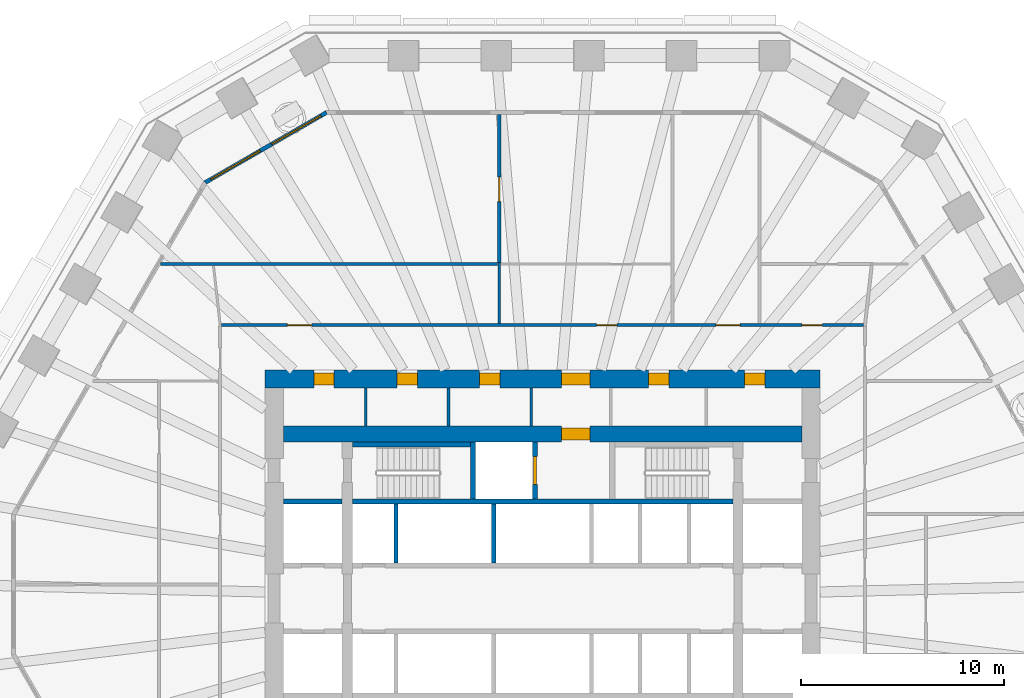
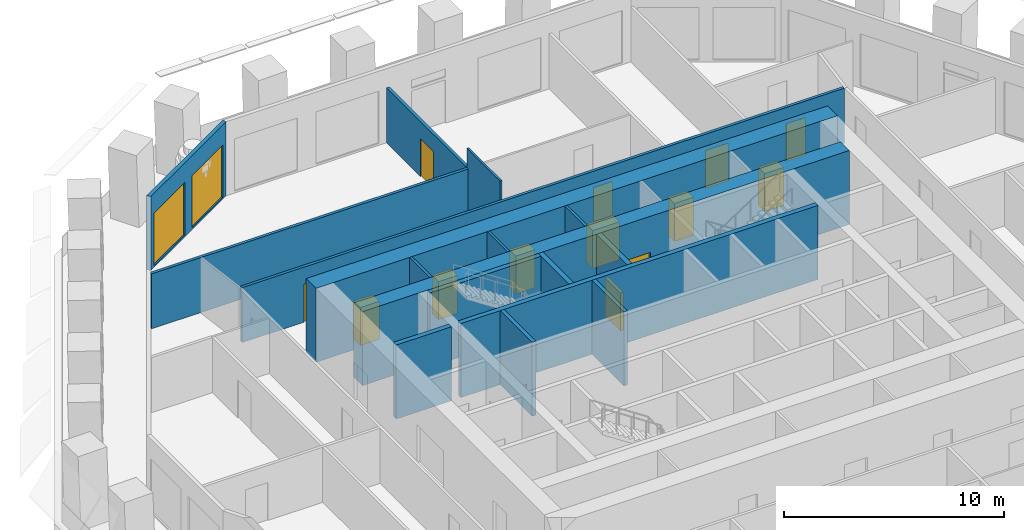
# One storey, part 7 of 13: 17 walls, 13 doors, 2 windows, 15 openings.
"""IFC4 building model written with IfcOpenShell, lengths in metres."""

from ifc_helpers import new_model, si_unit, direction, frame, frame_2d, origin, place, context, subcontext, project, spatial, polyline, rectangle, outline, extrude, material, layer, layer_set, type_object, element, fill, save


model = new_model("IFC4")

# Units and contexts
model_context = context("Model", 3, precision=1e-05, world=origin(), true_north=direction((0.0, 1.0)))
body_context = subcontext(model_context, "Body", "Model", "MODEL_VIEW")
ifc_project = project(units=[si_unit("LENGTHUNIT", "METRE"), si_unit("AREAUNIT", "SQUARE_METRE"), si_unit("VOLUMEUNIT", "CUBIC_METRE"), si_unit("PLANEANGLEUNIT", "RADIAN"), si_unit("MASSUNIT", "GRAM", prefix="KILO")], contexts=[model_context])

# Site, building, storey
site_placement = place(None, origin())
site = spatial("IfcSite", under=ifc_project, at=site_placement, CompositionType="ELEMENT")
building_placement = place(site_placement, origin())
building = spatial("IfcBuilding", under=site, at=building_placement, Name="Frailejon Research Tower", CompositionType="ELEMENT")
storey_placement = place(building_placement, frame((0.0, 0.0, 36.60009765625)))
storey = spatial("IfcBuildingStorey", under=building, at=storey_placement, Name="L08", CompositionType="ELEMENT", Elevation=36.60009765625)

# Walls
ifc_material_1 = material(Name="Plasterboard on steel studs", Category="steel")
ifc_layer_1 = layer(ifc_material_1, 0.125)
ifc_layer_set_1 = layer_set([ifc_layer_1], Name="Core partition 125")
wall_type_1 = type_object("IfcWallType", Name="Core partition 125", PredefinedType="PARTITIONING", material=ifc_layer_set_1)
for number, where, z_axis, x_axis, name in (
    (1, (-8.6875, 8.5, 0.0), (0.0, 0.0, 1.0), (0.0, 1.0, 0.0), "Core partition"),
    (2, (-4.625, 8.5, 0.0), (0.0, 0.0, 1.0), (0.0, 1.0, 0.0), "Core partition"),
    (3, (-0.5625, 8.5, 0.0), (0.0, 0.0, 1.0), (0.0, 1.0, 0.0), "Core partition"),
):
    element("IfcWall", number, at=place(storey_placement, frame(where, z_axis=z_axis, x_axis=x_axis)), inside=storey, type_object=wall_type_1, Name=name, PredefinedType="PARTITIONING", context=body_context, shape_type="SweptSolid", body=[
        extrude(rectangle(XDim=1.85009765625, YDim=0.125, at=frame_2d((0.925048828125, 0.0))), origin(), (0.0, 0.0, 1.0), 4.099853515625),
    ])

# Wall, opening, door
ifc_material_2 = material(Name="Concrete C70/85", Category="concrete")
ifc_layer_2 = layer(ifc_material_2, 0.800048828125)
ifc_layer_set_2 = layer_set([ifc_layer_2], Name="Core shear wall 800 C70/85")
wall_type_2 = type_object("IfcWallType", Name="Core shear wall 800 C70/85", PredefinedType="SHEAR", material=ifc_layer_set_2)
wall_1_placement = place(storey_placement, frame((-12.75, 8.10009765625, 0.0), z_axis=(0.0, 0.0, 1.0), x_axis=(1.0, 0.0, 0.0)))
wall_1 = element("IfcWall", 4, at=wall_1_placement, inside=storey, type_object=wall_type_2, Name="Core shear wall", PredefinedType="SHEAR", context=body_context, shape_type="SweptSolid", body=[
    extrude(rectangle(XDim=25.5, YDim=0.800048828125, at=frame_2d((12.75, 0.0))), origin(), (0.0, 0.0, 1.0), 4.099853515625),
])
opening_1_placement = place(wall_1_placement, frame((13.675048828125, 0.0, 0.0)))
opening_1 = element("IfcOpeningElement", 5, at=opening_1_placement, cuts=wall_1, Name="Opening D9", PredefinedType="OPENING", context=body_context, shape_type="SweptSolid", body=[
    extrude(rectangle(XDim=1.39990234375, YDim=2.10009765625, at=frame_2d((0.699951171875, 1.050048828125))), frame((0.0, 0.409912109375, 0.0), z_axis=(0.0, -1.0, 0.0), x_axis=(1.0, 0.0, 0.0)), (0.0, 0.0, 1.0), 0.820068359375),
])
ifc_material_3 = material(Name="Steel", Category="steel")
door_type_1 = type_object("IfcDoorType", Name="Goods lobby door", OperationType="DOUBLE_DOOR_SINGLE_SWING", PredefinedType="DOOR", material=ifc_material_3)
door_1_placement = place(opening_1_placement, origin())
door_1 = element("IfcDoor", 6, at=door_1_placement, inside=storey, type_object=door_type_1, Name="Goods lobby door", OperationType="DOUBLE_DOOR_SINGLE_SWING", OverallHeight=2.10009765625, OverallWidth=1.39990234375, PredefinedType="DOOR", context=body_context, shape_type="SweptSolid", body=[
    extrude(rectangle(XDim=1.39990234375, YDim=2.10009765625, at=frame_2d((0.699951171875, 1.050048828125))), frame((0.0, 0.300048828125, 0.0), z_axis=(0.0, -1.0, 0.0), x_axis=(1.0, 0.0, 0.0)), (0.0, 0.0, 1.0), 0.60009765625),
])
fill(opening_1, door_1)

# Wall, openings, doors
ifc_material_4 = material(Name="Concrete C70/85", Category="concrete")
ifc_layer_3 = layer(ifc_material_4, 0.89990234375)
ifc_layer_set_3 = layer_set([ifc_layer_3], Name="Core shear wall 900 C70/85")
wall_type_3 = type_object("IfcWallType", Name="Core shear wall 900 C70/85", PredefinedType="SHEAR", material=ifc_layer_set_3)
wall_2_placement = place(storey_placement, frame((-13.64990234375, 10.800048828125, 0.0), z_axis=(0.0, 0.0, 1.0), x_axis=(1.0, 0.0, 0.0)))
wall_2 = element("IfcWall", 7, at=wall_2_placement, inside=storey, type_object=wall_type_3, Name="Core shear wall", PredefinedType="SHEAR", context=body_context, shape_type="SweptSolid", body=[
    extrude(rectangle(XDim=27.2998046875, YDim=0.89990234375, at=frame_2d((13.64990234375, 0.0))), origin(), (0.0, 0.0, 1.0), 4.099853515625),
])
opening_2_placement = place(wall_2_placement, frame((2.39990234375, 0.0, 0.0)))
opening_2 = element("IfcOpeningElement", 8, at=opening_2_placement, cuts=wall_2, Name="Opening D4", PredefinedType="OPENING", context=body_context, shape_type="SweptSolid", body=[
    extrude(rectangle(XDim=1.0, YDim=2.10009765625, at=frame_2d((0.5, 1.050048828125))), frame((0.0, 0.4599609375, 0.0), z_axis=(0.0, -1.0, 0.0), x_axis=(1.0, 0.0, 0.0)), (0.0, 0.0, 1.0), 0.919921875),
])
opening_3_placement = place(wall_2_placement, frame((6.49365234375, 0.0, 0.0)))
opening_3 = element("IfcOpeningElement", 9, at=opening_3_placement, cuts=wall_2, Name="Opening D4", PredefinedType="OPENING", context=body_context, shape_type="SweptSolid", body=[
    extrude(rectangle(XDim=1.0, YDim=2.10009765625, at=frame_2d((0.5, 1.050048828125))), frame((0.0, 0.4599609375, 0.0), z_axis=(0.0, -1.0, 0.0), x_axis=(1.0, 0.0, 0.0)), (0.0, 0.0, 1.0), 0.919921875),
])
opening_4_placement = place(wall_2_placement, frame((10.55615234375, 0.0, 0.0)))
opening_4 = element("IfcOpeningElement", 10, at=opening_4_placement, cuts=wall_2, Name="Opening D4", PredefinedType="OPENING", context=body_context, shape_type="SweptSolid", body=[
    extrude(rectangle(XDim=1.0, YDim=2.10009765625, at=frame_2d((0.5, 1.050048828125))), frame((0.0, 0.4599609375, 0.0), z_axis=(0.0, -1.0, 0.0), x_axis=(1.0, 0.0, 0.0)), (0.0, 0.0, 1.0), 0.919921875),
])
opening_5_placement = place(wall_2_placement, frame((18.859375, 0.0, 0.0)))
opening_5 = element("IfcOpeningElement", 11, at=opening_5_placement, cuts=wall_2, Name="Opening D4", PredefinedType="OPENING", context=body_context, shape_type="SweptSolid", body=[
    extrude(rectangle(XDim=1.0, YDim=2.10009765625, at=frame_2d((0.5, 1.050048828125))), frame((0.0, 0.4599609375, 0.0), z_axis=(0.0, -1.0, 0.0), x_axis=(1.0, 0.0, 0.0)), (0.0, 0.0, 1.0), 0.919921875),
])
opening_6_placement = place(wall_2_placement, frame((23.58447265625, 0.0, 0.0)))
opening_6 = element("IfcOpeningElement", 12, at=opening_6_placement, cuts=wall_2, Name="Opening D4", PredefinedType="OPENING", context=body_context, shape_type="SweptSolid", body=[
    extrude(rectangle(XDim=1.0, YDim=2.10009765625, at=frame_2d((0.5, 1.050048828125))), frame((0.0, 0.4599609375, 0.0), z_axis=(0.0, -1.0, 0.0), x_axis=(1.0, 0.0, 0.0)), (0.0, 0.0, 1.0), 0.919921875),
])
opening_7_placement = place(wall_2_placement, frame((14.574951171875, 0.0, 0.0)))
opening_7 = element("IfcOpeningElement", 13, at=opening_7_placement, cuts=wall_2, Name="Opening D9", PredefinedType="OPENING", context=body_context, shape_type="SweptSolid", body=[
    extrude(rectangle(XDim=1.39990234375, YDim=2.10009765625, at=frame_2d((0.699951171875, 1.050048828125))), frame((0.0, 0.4599609375, 0.0), z_axis=(0.0, -1.0, 0.0), x_axis=(1.0, 0.0, 0.0)), (0.0, 0.0, 1.0), 0.919921875),
])
door_2_placement = place(opening_7_placement, origin())
door_2 = element("IfcDoor", 14, at=door_2_placement, inside=storey, type_object=door_type_1, Name="Passage door", OperationType="DOUBLE_DOOR_SINGLE_SWING", OverallHeight=2.10009765625, OverallWidth=1.39990234375, PredefinedType="DOOR", context=body_context, shape_type="SweptSolid", body=[
    extrude(rectangle(XDim=1.39990234375, YDim=2.10009765625, at=frame_2d((0.699951171875, 1.050048828125))), frame((0.0, 0.300048828125, 0.0), z_axis=(0.0, -1.0, 0.0), x_axis=(1.0, 0.0, 0.0)), (0.0, 0.0, 1.0), 0.60009765625),
])
fill(opening_7, door_2)
ifc_material_5 = material(Name="Steel", Category="steel")
door_type_2 = type_object("IfcDoorType", Name="Service door", OperationType="SINGLE_SWING_LEFT", PredefinedType="DOOR", material=ifc_material_5)
door_3_placement = place(opening_2_placement, origin())
door_3 = element("IfcDoor", 15, at=door_3_placement, inside=storey, type_object=door_type_2, Name="Room door", OperationType="SINGLE_SWING_LEFT", OverallHeight=2.10009765625, OverallWidth=1.0, PredefinedType="DOOR", context=body_context, shape_type="SweptSolid", body=[
    extrude(rectangle(XDim=1.0, YDim=2.10009765625, at=frame_2d((0.5, 1.050048828125))), frame((0.0, 0.300048828125, 0.0), z_axis=(0.0, -1.0, 0.0), x_axis=(1.0, 0.0, 0.0)), (0.0, 0.0, 1.0), 0.60009765625),
])
fill(opening_2, door_3)
door_4_placement = place(opening_3_placement, origin())
door_4 = element("IfcDoor", 16, at=door_4_placement, inside=storey, type_object=door_type_2, Name="Room door", OperationType="SINGLE_SWING_RIGHT", OverallHeight=2.10009765625, OverallWidth=1.0, PredefinedType="DOOR", context=body_context, shape_type="SweptSolid", body=[
    extrude(rectangle(XDim=1.0, YDim=2.10009765625, at=frame_2d((0.5, 1.050048828125))), frame((0.0, 0.300048828125, 0.0), z_axis=(0.0, -1.0, 0.0), x_axis=(1.0, 0.0, 0.0)), (0.0, 0.0, 1.0), 0.60009765625),
])
fill(opening_3, door_4)
door_5_placement = place(opening_4_placement, origin())
door_5 = element("IfcDoor", 17, at=door_5_placement, inside=storey, type_object=door_type_2, Name="Room door", OperationType="SINGLE_SWING_LEFT", OverallHeight=2.10009765625, OverallWidth=1.0, PredefinedType="DOOR", context=body_context, shape_type="SweptSolid", body=[
    extrude(rectangle(XDim=1.0, YDim=2.10009765625, at=frame_2d((0.5, 1.050048828125))), frame((0.0, 0.300048828125, 0.0), z_axis=(0.0, -1.0, 0.0), x_axis=(1.0, 0.0, 0.0)), (0.0, 0.0, 1.0), 0.60009765625),
])
fill(opening_4, door_5)
door_6_placement = place(opening_5_placement, origin())
door_6 = element("IfcDoor", 18, at=door_6_placement, inside=storey, type_object=door_type_2, Name="Room door", OperationType="SINGLE_SWING_RIGHT", OverallHeight=2.10009765625, OverallWidth=1.0, PredefinedType="DOOR", context=body_context, shape_type="SweptSolid", body=[
    extrude(rectangle(XDim=1.0, YDim=2.10009765625, at=frame_2d((0.5, 1.050048828125))), frame((0.0, 0.300048828125, 0.0), z_axis=(0.0, -1.0, 0.0), x_axis=(1.0, 0.0, 0.0)), (0.0, 0.0, 1.0), 0.60009765625),
])
fill(opening_5, door_6)
door_7_placement = place(opening_6_placement, origin())
door_7 = element("IfcDoor", 19, at=door_7_placement, inside=storey, type_object=door_type_2, Name="Room door", OperationType="SINGLE_SWING_LEFT", OverallHeight=2.10009765625, OverallWidth=1.0, PredefinedType="DOOR", context=body_context, shape_type="SweptSolid", body=[
    extrude(rectangle(XDim=1.0, YDim=2.10009765625, at=frame_2d((0.5, 1.050048828125))), frame((0.0, 0.300048828125, 0.0), z_axis=(0.0, -1.0, 0.0), x_axis=(1.0, 0.0, 0.0)), (0.0, 0.0, 1.0), 0.60009765625),
])
fill(opening_6, door_7)

ifc_material_6 = material(Name="Gypsum board and masonry partition", Category="masonry")
ifc_layer_4 = layer(ifc_material_6, 0.14990234375)
ifc_layer_set_4 = layer_set([ifc_layer_4], Name="Corridor wall EI 60, gypsum on steel studs 150")
wall_type_4 = type_object("IfcWallType", Name="Corridor wall EI 60, gypsum on steel studs 150", PredefinedType="PARTITIONING", material=ifc_layer_set_4)
wall_3_placement = place(storey_placement, frame((-15.77490234375, 13.449951171875, 0.0), z_axis=(0.0, 0.0, 1.0), x_axis=(1.0, 0.0, 0.0)))
wall_3 = element("IfcWall", 20, at=wall_3_placement, inside=storey, type_object=wall_type_4, Name="T:IW:L08:002", PredefinedType="PARTITIONING", context=body_context, shape_type="SweptSolid", body=[
    extrude(rectangle(XDim=31.5498046875, YDim=0.14990234375, at=frame_2d((15.77490234375, 0.0))), origin(), (0.0, 0.0, 1.0), 3.0498046875),
])
opening_8_placement = place(wall_3_placement, frame((28.52734375, 0.0, 0.0)))
opening_8 = element("IfcOpeningElement", 21, at=opening_8_placement, cuts=wall_3, Name="Opening D1349", PredefinedType="OPENING", context=body_context, shape_type="SweptSolid", body=[
    extrude(rectangle(XDim=1.0, YDim=2.10009765625, at=frame_2d((0.5, 1.050048828125))), frame((0.0, 0.0849609375, 0.0), z_axis=(0.0, -1.0, 0.0), x_axis=(1.0, 0.0, 0.0)), (0.0, 0.0, 1.0), 0.169921875),
])
opening_9_placement = place(wall_3_placement, frame((24.289306640625, 0.0, 0.0)))
opening_9 = element("IfcOpeningElement", 22, at=opening_9_placement, cuts=wall_3, Name="Opening D1351", PredefinedType="OPENING", context=body_context, shape_type="SweptSolid", body=[
    extrude(rectangle(XDim=1.199951171875, YDim=2.10009765625, at=frame_2d((0.60009765625, 1.050048828125))), frame((0.0, 0.0849609375, 0.0), z_axis=(0.0, -1.0, 0.0), x_axis=(1.0, 0.0, 0.0)), (0.0, 0.0, 1.0), 0.169921875),
])
opening_10_placement = place(wall_3_placement, frame((18.429443359375, 0.0, 0.0)))
opening_10 = element("IfcOpeningElement", 23, at=opening_10_placement, cuts=wall_3, Name="Opening D1352", PredefinedType="OPENING", context=body_context, shape_type="SweptSolid", body=[
    extrude(rectangle(XDim=1.0, YDim=2.10009765625, at=frame_2d((0.5, 1.050048828125))), frame((0.0, 0.0849609375, 0.0), z_axis=(0.0, -1.0, 0.0), x_axis=(1.0, 0.0, 0.0)), (0.0, 0.0, 1.0), 0.169921875),
])
opening_11_placement = place(wall_3_placement, frame((3.229736328125, 0.0, 0.0)))
opening_11 = element("IfcOpeningElement", 24, at=opening_11_placement, cuts=wall_3, Name="Opening D1355", PredefinedType="OPENING", context=body_context, shape_type="SweptSolid", body=[
    extrude(rectangle(XDim=1.199951171875, YDim=2.10009765625, at=frame_2d((0.60009765625, 1.050048828125))), frame((0.0, 0.0849609375, 0.0), z_axis=(0.0, -1.0, 0.0), x_axis=(1.0, 0.0, 0.0)), (0.0, 0.0, 1.0), 0.169921875),
])
ifc_material_7 = material(Name="Timber door leaf", Category="wood")
door_type_3 = type_object("IfcDoorType", Name="Door laboratory, timber, vision panel 1000", OperationType="NOTDEFINED", PredefinedType="DOOR", material=ifc_material_7)
door_8_placement = place(opening_8_placement, origin())
door_8 = element("IfcDoor", 25, at=door_8_placement, inside=storey, type_object=door_type_3, Name="D1349", OperationType="SINGLE_SWING_RIGHT", OverallHeight=2.10009765625, OverallWidth=1.0, PredefinedType="DOOR", context=body_context, shape_type="SweptSolid", body=[
    extrude(rectangle(XDim=1.0, YDim=2.10009765625, at=frame_2d((0.5, 1.050048828125))), frame((0.0, 0.02490234375, 0.0), z_axis=(0.0, -1.0, 0.0), x_axis=(1.0, 0.0, 0.0)), (0.0, 0.0, 1.0), 0.050048828125),
])
fill(opening_8, door_8)
ifc_material_8 = material(Name="Timber door leaf", Category="wood")
door_type_4 = type_object("IfcDoorType", Name="Door laboratory, timber, vision panel 1200", OperationType="NOTDEFINED", PredefinedType="DOOR", material=ifc_material_8)
door_9_placement = place(opening_9_placement, origin())
door_9 = element("IfcDoor", 26, at=door_9_placement, inside=storey, type_object=door_type_4, Name="D1351", OperationType="DOUBLE_DOOR_SINGLE_SWING", OverallHeight=2.10009765625, OverallWidth=1.199951171875, PredefinedType="DOOR", context=body_context, shape_type="SweptSolid", body=[
    extrude(rectangle(XDim=1.199951171875, YDim=2.10009765625, at=frame_2d((0.60009765625, 1.050048828125))), frame((0.0, 0.02490234375, 0.0), z_axis=(0.0, -1.0, 0.0), x_axis=(1.0, 0.0, 0.0)), (0.0, 0.0, 1.0), 0.050048828125),
])
fill(opening_9, door_9)
ifc_material_9 = material(Name="Timber door leaf", Category="wood")
door_type_5 = type_object("IfcDoorType", Name="Door single leaf, timber, steel frame 1000", OperationType="NOTDEFINED", PredefinedType="DOOR", material=ifc_material_9)
door_10_placement = place(opening_10_placement, origin())
door_10 = element("IfcDoor", 27, at=door_10_placement, inside=storey, type_object=door_type_5, Name="D1352", OperationType="SINGLE_SWING_RIGHT", OverallHeight=2.10009765625, OverallWidth=1.0, PredefinedType="DOOR", context=body_context, shape_type="SweptSolid", body=[
    extrude(rectangle(XDim=1.0, YDim=2.10009765625, at=frame_2d((0.5, 1.050048828125))), frame((0.0, 0.02490234375, 0.0), z_axis=(0.0, -1.0, 0.0), x_axis=(1.0, 0.0, 0.0)), (0.0, 0.0, 1.0), 0.050048828125),
])
fill(opening_10, door_10)
ifc_material_10 = material(Name="Timber door leaf", Category="wood")
door_type_6 = type_object("IfcDoorType", Name="Door single leaf, timber, steel frame 1200", OperationType="NOTDEFINED", PredefinedType="DOOR", material=ifc_material_10)
door_11_placement = place(opening_11_placement, origin())
door_11 = element("IfcDoor", 28, at=door_11_placement, inside=storey, type_object=door_type_6, Name="D1355", OperationType="DOUBLE_DOOR_SINGLE_SWING", OverallHeight=2.10009765625, OverallWidth=1.199951171875, PredefinedType="DOOR", context=body_context, shape_type="SweptSolid", body=[
    extrude(rectangle(XDim=1.199951171875, YDim=2.10009765625, at=frame_2d((0.60009765625, 1.050048828125))), frame((0.0, 0.02490234375, 0.0), z_axis=(0.0, -1.0, 0.0), x_axis=(1.0, 0.0, 0.0)), (0.0, 0.0, 1.0), 0.050048828125),
])
fill(opening_11, door_11)

# Wall
ifc_material_11 = material(Name="Gypsum board and masonry partition", Category="masonry")
ifc_layer_5 = layer(ifc_material_11, 0.14990234375)
ifc_layer_set_5 = layer_set([ifc_layer_5], Name="Laboratory partition, blockwork 150")
wall_type_5 = type_object("IfcWallType", Name="Laboratory partition, blockwork 150", PredefinedType="PARTITIONING", material=ifc_layer_set_5)
wall_4_placement = place(storey_placement, frame((-18.78271484375, 16.449951171875, 0.0), z_axis=(0.0, 0.0, 1.0), x_axis=(1.0, 0.0, 0.0)))
element("IfcWall", 29, at=wall_4_placement, inside=storey, type_object=wall_type_5, Name="T:IW:L08:011", PredefinedType="PARTITIONING", context=body_context, shape_type="SweptSolid", body=[
    extrude(rectangle(XDim=16.576904296875, YDim=0.14990234375, at=frame_2d((8.28857421875, 0.0))), origin(), (0.0, 0.0, 1.0), 3.0498046875),
])

# Wall, opening, door
wall_5_placement = place(storey_placement, frame((-2.130859375, 16.5, 0.0), z_axis=(0.0, 0.0, 1.0), x_axis=(0.0, 1.0, 0.0)))
wall_5 = element("IfcWall", 30, at=wall_5_placement, inside=storey, type_object=wall_type_5, Name="T:IW:L08:015", PredefinedType="PARTITIONING", context=body_context, shape_type="SweptSolid", body=[
    extrude(rectangle(XDim=7.300048828125, YDim=0.14990234375, at=frame_2d((3.64990234375, 0.0))), origin(), (0.0, 0.0, 1.0), 3.0498046875),
])
opening_12_placement = place(wall_5_placement, frame((3.02490234375, 0.0, 0.0)))
opening_12 = element("IfcOpeningElement", 31, at=opening_12_placement, cuts=wall_5, Name="Opening D1354", PredefinedType="OPENING", context=body_context, shape_type="SweptSolid", body=[
    extrude(rectangle(XDim=1.199951171875, YDim=2.10009765625, at=frame_2d((0.60009765625, 1.050048828125))), frame((0.0, 0.0849609375, 0.0), z_axis=(0.0, -1.0, 0.0), x_axis=(1.0, 0.0, 0.0)), (0.0, 0.0, 1.0), 0.169921875),
])
door_12_placement = place(opening_12_placement, origin())
door_12 = element("IfcDoor", 32, at=door_12_placement, inside=storey, type_object=door_type_4, Name="D1354", OperationType="DOUBLE_DOOR_SINGLE_SWING", OverallHeight=2.10009765625, OverallWidth=1.199951171875, PredefinedType="DOOR", context=body_context, shape_type="SweptSolid", body=[
    extrude(rectangle(XDim=1.199951171875, YDim=2.10009765625, at=frame_2d((0.60009765625, 1.050048828125))), frame((0.0, 0.02490234375, 0.0), z_axis=(0.0, -1.0, 0.0), x_axis=(1.0, 0.0, 0.0)), (0.0, 0.0, 1.0), 0.050048828125),
])
fill(opening_12, door_12)

# Walls
ifc_material_12 = material(Name="Gypsum board and masonry partition", Category="masonry")
ifc_layer_6 = layer(ifc_material_12, 0.10009765625)
ifc_layer_set_6 = layer_set([ifc_layer_6], Name="Partition, gypsum on steel studs 100")
wall_type_6 = type_object("IfcWallType", Name="Partition, gypsum on steel studs 100", PredefinedType="PARTITIONING", material=ifc_layer_set_6)
wall_6_placement = place(storey_placement, frame((-2.130859375, 13.52490234375, 0.0), z_axis=(0.0, 0.0, 1.0), x_axis=(0.0, 1.0, 0.0)))
element("IfcWall", 33, at=wall_6_placement, inside=storey, type_object=wall_type_6, Name="T:IW:L08:026", PredefinedType="PARTITIONING", context=body_context, shape_type="SweptSolid", body=[
    extrude(rectangle(XDim=3.0, YDim=0.10009765625, at=frame_2d((1.5, 0.0))), origin(), (0.0, 0.0, 1.0), 4.099853515625),
])
ifc_material_13 = material(Name="Concrete C70/85", Category="concrete")
ifc_layer_7 = layer(ifc_material_13, 0.199951171875)
ifc_layer_set_7 = layer_set([ifc_layer_7], Name="Shaft wall 200 C70/85")
wall_type_7 = type_object("IfcWallType", Name="Shaft wall 200 C70/85", PredefinedType="SOLIDWALL", material=ifc_layer_set_7)
for number, where, z_axis, x_axis, name in (
    (34, (-7.199951171875, 1.75, 0.0), (0.0, 0.0, 1.0), (0.0, 1.0, 0.0), "Shaft wall"),
    (35, (-2.39990234375, 1.75, 0.0), (0.0, 0.0, 1.0), (0.0, 1.0, 0.0), "Shaft wall"),
):
    element("IfcWall", number, at=place(storey_placement, frame(where, z_axis=z_axis, x_axis=x_axis)), inside=storey, type_object=wall_type_7, Name=name, PredefinedType="SOLIDWALL", context=body_context, shape_type="SweptSolid", body=[
        extrude(rectangle(XDim=2.89990234375, YDim=0.199951171875, at=frame_2d((1.449951171875, 0.0))), origin(), (0.0, 0.0, 1.0), 4.099853515625),
    ])
ifc_material_14 = material(Name="Concrete C70/85", Category="concrete")
ifc_layer_8 = layer(ifc_material_14, 0.25)
ifc_layer_set_8 = layer_set([ifc_layer_8], Name="Shaft wall 250 C70/85")
wall_type_8 = type_object("IfcWallType", Name="Shaft wall 250 C70/85", PredefinedType="SOLIDWALL", material=ifc_layer_set_8)
wall_7_placement = place(storey_placement, frame((-12.75, 4.77490234375, 0.0), z_axis=(0.0, 0.0, 1.0), x_axis=(1.0, 0.0, 0.0)))
element("IfcWall", 36, at=wall_7_placement, inside=storey, type_object=wall_type_8, Name="Shaft wall", PredefinedType="SOLIDWALL", context=body_context, shape_type="SweptSolid", body=[
    extrude(rectangle(XDim=2.89990234375, YDim=0.25, at=frame_2d((1.449951171875, 0.0))), origin(), (0.0, 0.0, 1.0), 4.099853515625),
])
wall_8_placement = place(storey_placement, frame((-9.35009765625, 4.77490234375, 0.0), z_axis=(0.0, 0.0, 1.0), x_axis=(1.0, 0.0, 0.0)))
element("IfcWall", 37, at=wall_8_placement, inside=storey, type_object=wall_type_8, Name="Shaft wall", PredefinedType="SOLIDWALL", context=body_context, shape_type="SweptSolid", body=[
    extrude(rectangle(XDim=18.7001953125, YDim=0.25, at=frame_2d((9.35009765625, 0.0))), origin(), (0.0, 0.0, 1.0), 4.099853515625),
])
wall_9_placement = place(storey_placement, frame((-9.35009765625, 7.574951171875, 0.0), z_axis=(0.0, 0.0, 1.0), x_axis=(1.0, 0.0, 0.0)))
element("IfcWall", 38, at=wall_9_placement, inside=storey, type_object=wall_type_8, Name="Shaft wall", PredefinedType="SOLIDWALL", context=body_context, shape_type="SweptSolid", body=[
    extrude(rectangle(XDim=5.800048828125, YDim=0.25, at=frame_2d((2.89990234375, 0.0))), origin(), (0.0, 0.0, 1.0), 4.099853515625),
])
wall_10_placement = place(storey_placement, frame((-3.425048828125, 4.89990234375, 0.0), z_axis=(0.0, 0.0, 1.0), x_axis=(0.0, 1.0, 0.0)))
element("IfcWall", 39, at=wall_10_placement, inside=storey, type_object=wall_type_8, Name="Shaft wall", PredefinedType="SOLIDWALL", context=body_context, shape_type="SweptSolid", body=[
    extrude(rectangle(XDim=2.800048828125, YDim=0.25, at=frame_2d((1.39990234375, 0.0))), origin(), (0.0, 0.0, 1.0), 4.099853515625),
])

# Wall, opening, door
wall_11_placement = place(storey_placement, frame((-0.375, 4.89990234375, 0.0), z_axis=(0.0, 0.0, 1.0), x_axis=(0.0, 1.0, 0.0)))
wall_11 = element("IfcWall", 40, at=wall_11_placement, inside=storey, type_object=wall_type_8, Name="Shaft wall", PredefinedType="SOLIDWALL", context=body_context, shape_type="SweptSolid", body=[
    extrude(rectangle(XDim=2.800048828125, YDim=0.25, at=frame_2d((1.39990234375, 0.0))), origin(), (0.0, 0.0, 1.0), 4.099853515625),
])
opening_13_placement = place(wall_11_placement, frame((0.699951171875, 0.0, 0.0)))
opening_13 = element("IfcOpeningElement", 41, at=opening_13_placement, cuts=wall_11, Name="Opening LD2", PredefinedType="OPENING", context=body_context, shape_type="SweptSolid", body=[
    extrude(rectangle(XDim=1.39990234375, YDim=2.10009765625, at=frame_2d((0.699951171875, 1.050048828125))), frame((0.0, 0.135009765625, 0.0), z_axis=(0.0, -1.0, 0.0), x_axis=(1.0, 0.0, 0.0)), (0.0, 0.0, 1.0), 0.27001953125),
])
ifc_material_15 = material(Name="Stainless steel", Category="steel")
door_type_7 = type_object("IfcDoorType", Name="Goods landing door", OperationType="DOUBLE_DOOR_SLIDING", PredefinedType="DOOR", material=ifc_material_15)
door_13_placement = place(opening_13_placement, origin())
door_13 = element("IfcDoor", 42, at=door_13_placement, inside=storey, type_object=door_type_7, Name="Lift landing door", OperationType="DOUBLE_DOOR_SLIDING", OverallHeight=2.10009765625, OverallWidth=1.39990234375, PredefinedType="DOOR", context=body_context, shape_type="SweptSolid", body=[
    extrude(rectangle(XDim=1.39990234375, YDim=2.10009765625, at=frame_2d((0.699951171875, 1.050048828125))), frame((0.0, 0.074951171875, 0.0), z_axis=(0.0, -1.0, 0.0), x_axis=(1.0, 0.0, 0.0)), (0.0, 0.0, 1.0), 0.14990234375),
])
fill(opening_13, door_13)

# Wall, openings, windows
ifc_material_16 = material(Name="Concrete C40/50 precast window wall panel", Category="concrete")
ifc_layer_9 = layer(ifc_material_16, 0.199951171875)
ifc_layer_set_9 = layer_set([ifc_layer_9], Name="Window wall 200")
wall_type_9 = type_object("IfcWallType", Name="Window wall 200", PredefinedType="SOLIDWALL", material=ifc_layer_set_9)
wall_12_placement = place(storey_placement, frame((-10.6279296875, 23.89990234375, 0.0), z_axis=(0.0, 0.0, 1.0), x_axis=(-0.866029458321, -0.49999297727, 0.0)))
wall_12 = element("IfcWall", 43, at=wall_12_placement, inside=storey, type_object=wall_type_9, Name="Exterior wall L08", PredefinedType="SOLIDWALL", context=body_context, shape_type="SweptSolid", body=[
    extrude(outline(polyline([(-0.02685546875, -0.10009765625), (1.1279296875, -0.10009765625), (2.282470703125, -0.10009765625), (3.437255859375, -0.10009765625), (4.592041015625, -0.10009765625), (5.74658203125, -0.10009765625), (6.9013671875, -0.10009765625), (6.84765625, 0.10009765625), (5.7109375, 0.10009765625), (4.573974609375, 0.10009765625), (3.437255859375, 0.10009765625), (2.300537109375, 0.10009765625), (1.16357421875, 0.10009765625), (0.02685546875, 0.10009765625), (-0.02685546875, -0.10009765625)])), origin(), (0.0, 0.0, 1.0), 4.099853515625),
])
opening_14_placement = place(wall_12_placement, frame((0.318603515625, 0.0, 0.10009765625)))
opening_14 = element("IfcOpeningElement", 44, at=opening_14_placement, cuts=wall_12, Name="Opening W3", PredefinedType="OPENING", context=body_context, shape_type="SweptSolid", body=[
    extrude(rectangle(XDim=2.800048828125, YDim=2.89990234375, at=frame_2d((1.39990234375, 1.449951171875))), frame((0.0, 0.10986328125, 0.0), z_axis=(0.0, -1.0, 0.0), x_axis=(1.0, 0.0, 0.0)), (0.0, 0.0, 1.0), 0.219970703125),
])
opening_15_placement = place(wall_12_placement, frame((3.756103515625, 0.0, 0.10009765625)))
opening_15 = element("IfcOpeningElement", 45, at=opening_15_placement, cuts=wall_12, Name="Opening W3", PredefinedType="OPENING", context=body_context, shape_type="SweptSolid", body=[
    extrude(rectangle(XDim=2.800048828125, YDim=2.89990234375, at=frame_2d((1.39990234375, 1.449951171875))), frame((0.0, 0.10986328125, 0.0), z_axis=(0.0, -1.0, 0.0), x_axis=(1.0, 0.0, 0.0)), (0.0, 0.0, 1.0), 0.219970703125),
])
ifc_material_17 = material(Name="Aluminium framed double glazing", Category="aluminium")
window_type = type_object("IfcWindowType", Name="Window 2800x2900", PartitioningType="SINGLE_PANEL", PredefinedType="WINDOW", material=ifc_material_17)
window_1_placement = place(opening_14_placement, origin())
window_1 = element("IfcWindow", 46, at=window_1_placement, inside=storey, type_object=window_type, Name="Window L08", OverallHeight=2.89990234375, OverallWidth=2.800048828125, PartitioningType="SINGLE_PANEL", PredefinedType="WINDOW", context=body_context, shape_type="SweptSolid", body=[
    extrude(rectangle(XDim=2.800048828125, YDim=2.89990234375, at=frame_2d((1.39990234375, 1.449951171875))), frame((0.0, 0.030029296875, 0.0), z_axis=(0.0, -1.0, 0.0), x_axis=(1.0, 0.0, 0.0)), (0.0, 0.0, 1.0), 0.06005859375),
])
fill(opening_14, window_1)
window_2_placement = place(opening_15_placement, origin())
window_2 = element("IfcWindow", 47, at=window_2_placement, inside=storey, type_object=window_type, Name="Window L08", OverallHeight=2.89990234375, OverallWidth=2.800048828125, PartitioningType="SINGLE_PANEL", PredefinedType="WINDOW", context=body_context, shape_type="SweptSolid", body=[
    extrude(rectangle(XDim=2.800048828125, YDim=2.89990234375, at=frame_2d((1.39990234375, 1.449951171875))), frame((0.0, 0.030029296875, 0.0), z_axis=(0.0, -1.0, 0.0), x_axis=(1.0, 0.0, 0.0)), (0.0, 0.0, 1.0), 0.06005859375),
])
fill(opening_15, window_2)

save(model, "model.ifc")
